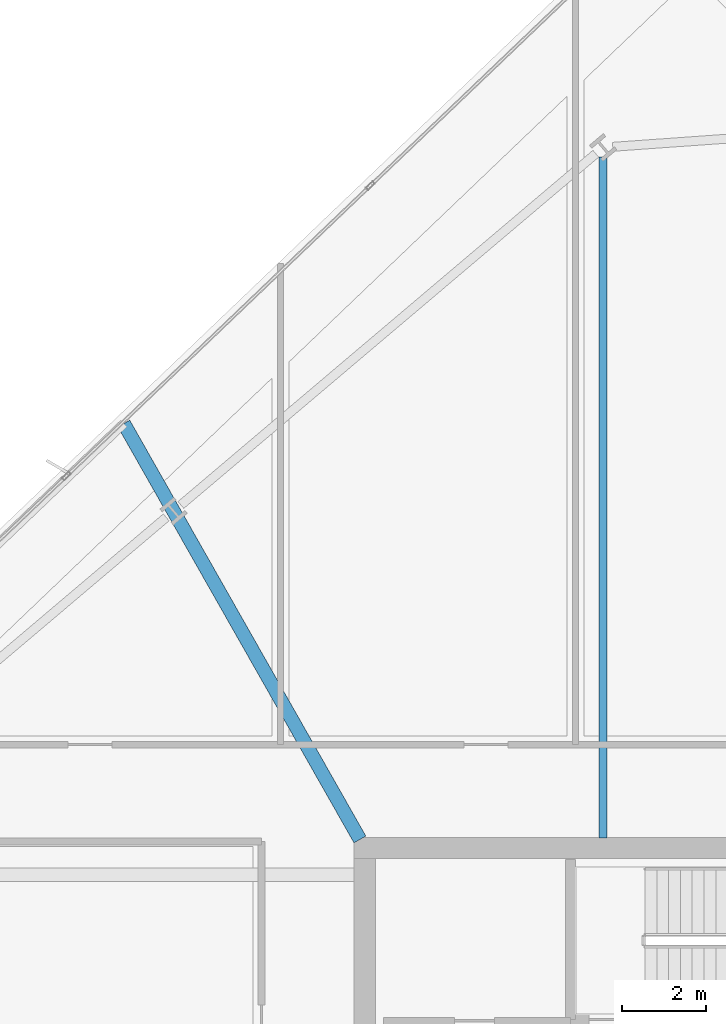
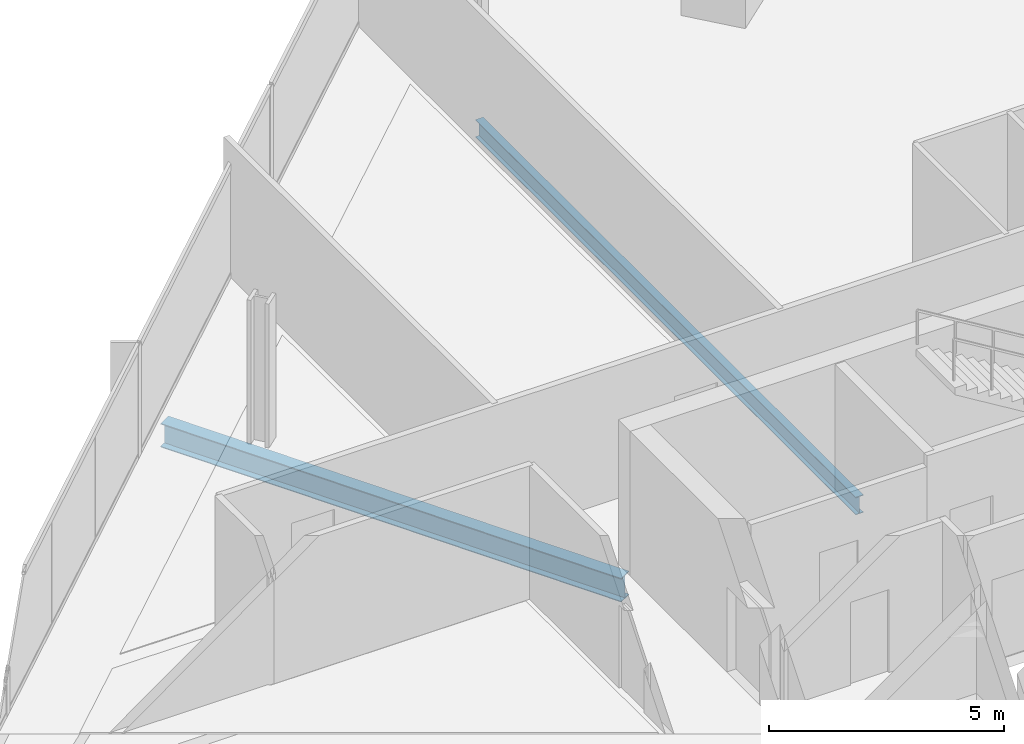
# One storey, part 16 of 33: 2 beams.
"""IFC4 building model written with IfcOpenShell, lengths in metres."""

from ifc_helpers import new_model, si_unit, direction, frame, origin, origin_2d, place, context, subcontext, project, spatial, i_section, extrude, material, material_profile, profile_set, type_object, element, save


model = new_model("IFC4")

# Units and contexts
model_context = context("Model", 3, precision=1e-05, world=origin(), true_north=direction((0.0, 1.0)))
body_context = subcontext(model_context, "Body", "Model", "MODEL_VIEW")
ifc_project = project(units=[si_unit("LENGTHUNIT", "METRE"), si_unit("AREAUNIT", "SQUARE_METRE"), si_unit("VOLUMEUNIT", "CUBIC_METRE"), si_unit("PLANEANGLEUNIT", "RADIAN"), si_unit("MASSUNIT", "GRAM", prefix="KILO")], contexts=[model_context])

# Site, building, storey
site_placement = place(None, origin())
site = spatial("IfcSite", under=ifc_project, at=site_placement, CompositionType="ELEMENT")
building_placement = place(site_placement, origin())
building = spatial("IfcBuilding", under=site, at=building_placement, Name="Haldenkirk Collegiate Tower", CompositionType="ELEMENT")
storey_placement = place(building_placement, frame((0.0, 0.0, 174.449951171875)))
storey = spatial("IfcBuildingStorey", under=building, at=storey_placement, Name="L43", CompositionType="ELEMENT", Elevation=174.449951171875)

# Beams
ifc_material = material(Name="Steel ASTM A992 Grade 50", Category="steel")
ifc_material_profile_1 = material_profile(ifc_material, i_section(OverallWidth=0.324951171875, OverallDepth=0.615966796875, WebThickness=0.013916015625, FlangeThickness=0.021484375, at=origin_2d()), Name="W24X117")
ifc_profile_set_1 = profile_set([ifc_material_profile_1], Name="Steel ASTM A992 Grade 50")
beam_type_1 = type_object("IfcBeamType", Name="BM-GIRDER-W24X117", PredefinedType="BEAM", material=ifc_profile_set_1)
beam_1_placement = place(storey_placement, frame((21.28369140625, 44.068115234375, -0.597900390625), z_axis=(0.493734374705, -0.869612768555, 0.0), x_axis=(0.869612768555, 0.493734374705, 0.0)))
element("IfcBeam", 1, at=beam_1_placement, inside=storey, type_object=beam_type_1, Name="L43 primary floor girder 12", PredefinedType="BEAM", context=body_context, shape_type="SweptSolid", body=[
    extrude(i_section(OverallWidth=0.324951171875, OverallDepth=0.615966796875, WebThickness=0.013916015625, FlangeThickness=0.021484375, at=origin_2d()), origin(), (0.0, 0.0, 1.0), 11.34765625),
])
ifc_material_profile_2 = material_profile(ifc_material, i_section(OverallWidth=0.18994140625, OverallDepth=0.45703125, WebThickness=0.009033203125, FlangeThickness=0.014404296875, at=origin_2d()), Name="W18X50")
ifc_profile_set_2 = profile_set([ifc_material_profile_2], Name="Steel ASTM A992 Grade 50")
beam_type_2 = type_object("IfcBeamType", Name="BM-JOIST-W18X50", PredefinedType="JOIST", material=ifc_profile_set_2)
beam_2_placement = place(storey_placement, frame((32.657470703125, 50.390380859375, -0.5185546875), z_axis=(0.0, -1.0, 0.0), x_axis=(1.0, 0.0, 0.0)))
element("IfcBeam", 2, at=beam_2_placement, inside=storey, type_object=beam_type_2, Name="L43 composite floor joist 11", PredefinedType="JOIST", context=body_context, shape_type="SweptSolid", body=[
    extrude(i_section(OverallWidth=0.18994140625, OverallDepth=0.45703125, WebThickness=0.009033203125, FlangeThickness=0.014404296875, at=origin_2d()), origin(), (0.0, 0.0, 1.0), 16.160400390625),
])

save(model, "model.ifc")
